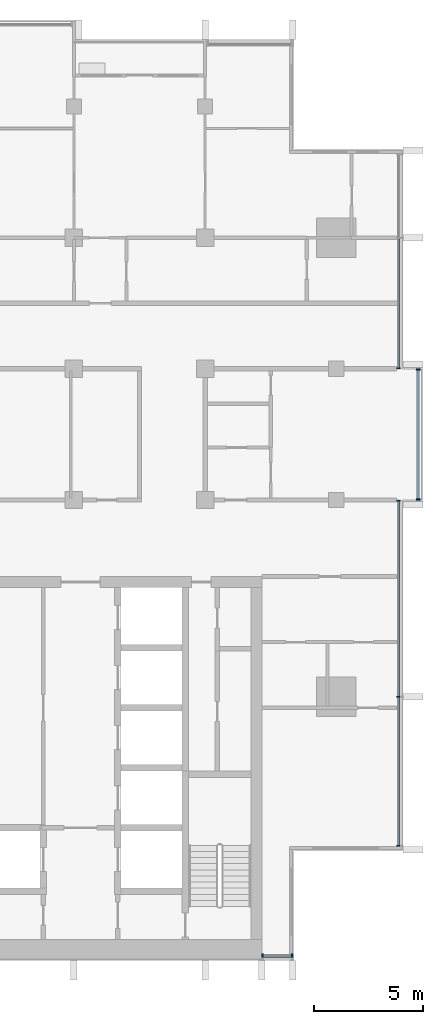
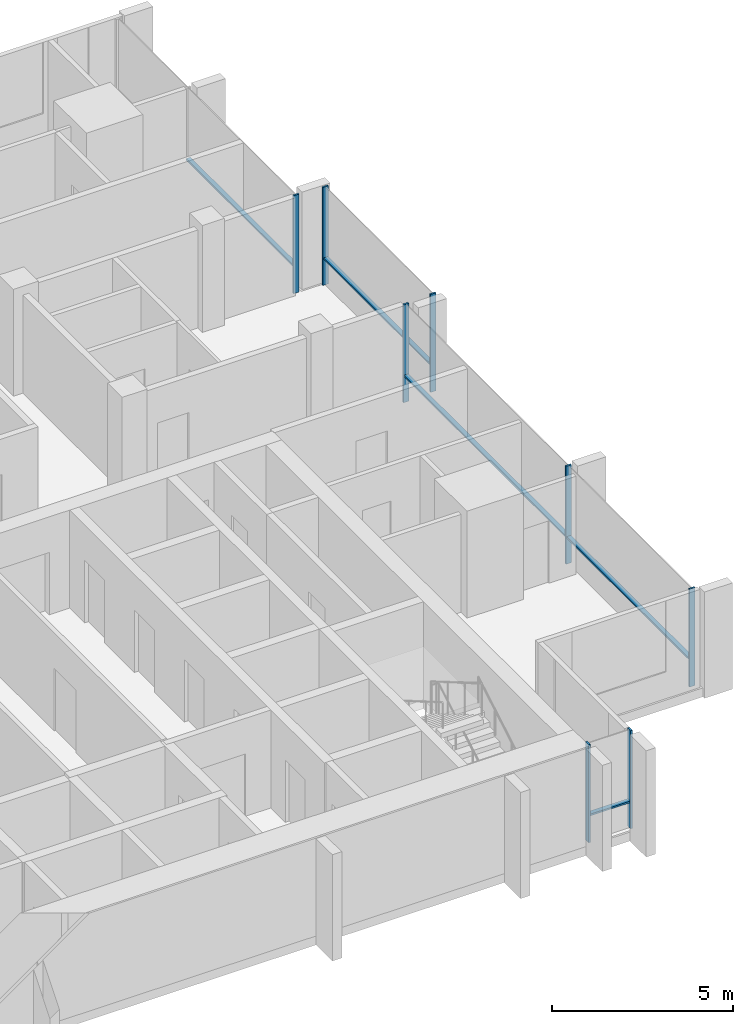
# One storey, part 3 of 16: 13 members, 4 elements without a shape of their own.
"""IFC4 building model written with IfcOpenShell, lengths in metres."""

from ifc_helpers import new_model, si_unit, direction, frame, origin, origin_2d, place, context, subcontext, project, spatial, rectangle, extrude, material, material_profile, profile_set, type_object, element, aggregate, save


model = new_model("IFC4")

# Units and contexts
model_context = context("Model", 3, precision=1e-05, world=origin(), true_north=direction((0.0, 1.0)))
body_context = subcontext(model_context, "Body", "Model", "MODEL_VIEW")
ifc_project = project(units=[si_unit("LENGTHUNIT", "METRE"), si_unit("AREAUNIT", "SQUARE_METRE"), si_unit("VOLUMEUNIT", "CUBIC_METRE"), si_unit("PLANEANGLEUNIT", "RADIAN"), si_unit("MASSUNIT", "GRAM", prefix="KILO")], contexts=[model_context])

# Site, building, storey
site_placement = place(None, origin())
site = spatial("IfcSite", under=ifc_project, at=site_placement, CompositionType="ELEMENT")
building_placement = place(site_placement, origin())
building = spatial("IfcBuilding", under=site, at=building_placement, Name="Finial Court Residences", CompositionType="ELEMENT")
storey_placement = place(building_placement, frame((0.0, 0.0, 284.300048828125)))
storey = spatial("IfcBuildingStorey", under=building, at=storey_placement, Name="L72", CompositionType="ELEMENT", Elevation=284.300048828125)

# Curtain wall, members
ifc_material = material(Name="Bronze anodised aluminium", Category="aluminium")
curtain_wall_type = type_object("IfcCurtainWallType", Name="Unitised curtain wall, upper zones", PredefinedType="NOTDEFINED", material=ifc_material)
curtain_wall_1_placement = place(storey_placement, origin())
curtain_wall_1 = element("IfcCurtainWall", 1, at=curtain_wall_1_placement, inside=storey, type_object=curtain_wall_type, Name="E-L72-CW-E4", PredefinedType="NOTDEFINED")
ifc_material_profile_1 = material_profile(ifc_material, rectangle(XDim=0.175048828125, YDim=0.06005859375, at=origin_2d()), Name="CW2 mullion 60 x 175")
ifc_profile_set_1 = profile_set([ifc_material_profile_1], Name="Bronze anodised aluminium")
member_type_1 = type_object("IfcMemberType", Name="CW2 mullion 60 x 175", PredefinedType="MULLION", material=ifc_profile_set_1)
member_1_placement = place(storey_placement, frame((19.35009765625, -20.320068359375, 0.0), z_axis=(0.0, 0.0, 1.0), x_axis=(-1.0, 0.0, 0.0)))
member_1 = element("IfcMember", 2, at=member_1_placement, type_object=member_type_1, Name="CW2 mullion 1", PredefinedType="MULLION", context=body_context, shape_type="SweptSolid", body=[
    extrude(rectangle(XDim=0.175048828125, YDim=0.06005859375, at=origin_2d()), origin(), (0.0, 0.0, 1.0), 3.300048828125),
])
member_2_placement = place(storey_placement, frame((19.35009765625, -13.5, 0.0), z_axis=(0.0, 0.0, 1.0), x_axis=(-1.0, 0.0, 0.0)))
member_2 = element("IfcMember", 3, at=member_2_placement, type_object=member_type_1, Name="CW2 mullion 2", PredefinedType="MULLION", context=body_context, shape_type="SweptSolid", body=[
    extrude(rectangle(XDim=0.175048828125, YDim=0.06005859375, at=origin_2d()), origin(), (0.0, 0.0, 1.0), 3.300048828125),
])
member_3_placement = place(storey_placement, frame((19.35009765625, -4.530029296875, 0.0), z_axis=(0.0, 0.0, 1.0), x_axis=(-1.0, 0.0, 0.0)))
member_3 = element("IfcMember", 4, at=member_3_placement, type_object=member_type_1, Name="CW2 mullion 3", PredefinedType="MULLION", context=body_context, shape_type="SweptSolid", body=[
    extrude(rectangle(XDim=0.175048828125, YDim=0.06005859375, at=origin_2d()), origin(), (0.0, 0.0, 1.0), 3.300048828125),
])

curtain_wall_2_placement = place(storey_placement, origin())
curtain_wall_2 = element("IfcCurtainWall", 5, at=curtain_wall_2_placement, inside=storey, type_object=curtain_wall_type, Name="E-L72-CW-E5", PredefinedType="NOTDEFINED")
member_4_placement = place(storey_placement, frame((20.25, -4.469970703125, 0.0), z_axis=(0.0, 0.0, 1.0), x_axis=(-1.0, 0.0, 0.0)))
member_4 = element("IfcMember", 6, at=member_4_placement, type_object=member_type_1, Name="CW2 mullion 1", PredefinedType="MULLION", context=body_context, shape_type="SweptSolid", body=[
    extrude(rectangle(XDim=0.175048828125, YDim=0.06005859375, at=origin_2d()), origin(), (0.0, 0.0, 1.0), 3.300048828125),
])
member_5_placement = place(storey_placement, frame((20.25, 1.469970703125, 0.0), z_axis=(0.0, 0.0, 1.0), x_axis=(-1.0, 0.0, 0.0)))
member_5 = element("IfcMember", 7, at=member_5_placement, type_object=member_type_1, Name="CW2 mullion 2", PredefinedType="MULLION", context=body_context, shape_type="SweptSolid", body=[
    extrude(rectangle(XDim=0.175048828125, YDim=0.06005859375, at=origin_2d()), origin(), (0.0, 0.0, 1.0), 3.300048828125),
])

# Curtain wall, member
curtain_wall_3_placement = place(storey_placement, origin())
curtain_wall_3 = element("IfcCurtainWall", 8, at=curtain_wall_3_placement, inside=storey, type_object=curtain_wall_type, Name="E-L72-CW-E6", PredefinedType="NOTDEFINED")
member_6_placement = place(storey_placement, frame((19.35009765625, 1.530029296875, 0.0), z_axis=(0.0, 0.0, 1.0), x_axis=(-1.0, 0.0, 0.0)))
member_6 = element("IfcMember", 9, at=member_6_placement, type_object=member_type_1, Name="CW2 mullion 1", PredefinedType="MULLION", context=body_context, shape_type="SweptSolid", body=[
    extrude(rectangle(XDim=0.175048828125, YDim=0.06005859375, at=origin_2d()), origin(), (0.0, 0.0, 1.0), 3.300048828125),
])

# Curtain wall, members
curtain_wall_4_placement = place(storey_placement, origin())
curtain_wall_4 = element("IfcCurtainWall", 10, at=curtain_wall_4_placement, inside=storey, type_object=curtain_wall_type, Name="E-L72-CW-S8", PredefinedType="NOTDEFINED")
member_7_placement = place(storey_placement, frame((13.1298828125, -25.35009765625, 0.0), z_axis=(0.0, 0.0, 1.0), x_axis=(0.0, 1.0, 0.0)))
member_7 = element("IfcMember", 11, at=member_7_placement, type_object=member_type_1, Name="CW2 mullion 1", PredefinedType="MULLION", context=body_context, shape_type="SweptSolid", body=[
    extrude(rectangle(XDim=0.175048828125, YDim=0.06005859375, at=origin_2d()), origin(), (0.0, 0.0, 1.0), 3.300048828125),
])
member_8_placement = place(storey_placement, frame((14.469970703125, -25.35009765625, 0.0), z_axis=(0.0, 0.0, 1.0), x_axis=(0.0, 1.0, 0.0)))
member_8 = element("IfcMember", 12, at=member_8_placement, type_object=member_type_1, Name="CW2 mullion 2", PredefinedType="MULLION", context=body_context, shape_type="SweptSolid", body=[
    extrude(rectangle(XDim=0.175048828125, YDim=0.06005859375, at=origin_2d()), origin(), (0.0, 0.0, 1.0), 3.300048828125),
])

# Member
ifc_material_profile_2 = material_profile(ifc_material, rectangle(XDim=0.139892578125, YDim=0.06005859375, at=origin_2d()), Name="CW2 transom 60 x 140")
ifc_profile_set_2 = profile_set([ifc_material_profile_2], Name="Bronze anodised aluminium")
member_type_2 = type_object("IfcMemberType", Name="CW2 transom 60 x 140", PredefinedType="USERDEFINED", material=ifc_profile_set_2)
member_9_placement = place(storey_placement, frame((19.35009765625, -20.2900390625, 0.89990234375), z_axis=(0.0, 1.0, 0.0), x_axis=(-1.0, 0.0, 0.0)))
member_9 = element("IfcMember", 13, at=member_9_placement, type_object=member_type_2, Name="CW2 transom 1.1", ObjectType="TRANSOM", PredefinedType="USERDEFINED", context=body_context, shape_type="SweptSolid", body=[
    extrude(rectangle(XDim=0.139892578125, YDim=0.06005859375, at=origin_2d()), origin(), (0.0, 0.0, 1.0), 6.760009765625),
])

member_10_placement = place(storey_placement, frame((19.35009765625, -13.469970703125, 0.89990234375), z_axis=(0.0, 1.0, 0.0), x_axis=(-1.0, 0.0, 0.0)))
member_10 = element("IfcMember", 14, at=member_10_placement, type_object=member_type_2, Name="CW2 transom 2.1", ObjectType="TRANSOM", PredefinedType="USERDEFINED", context=body_context, shape_type="SweptSolid", body=[
    extrude(rectangle(XDim=0.139892578125, YDim=0.06005859375, at=origin_2d()), origin(), (0.0, 0.0, 1.0), 8.909912109375),
])

aggregate(curtain_wall_1, [member_1, member_2, member_3, member_9, member_10])

member_11_placement = place(storey_placement, frame((20.25, -4.43994140625, 0.89990234375), z_axis=(0.0, 1.0, 0.0), x_axis=(-1.0, 0.0, 0.0)))
member_11 = element("IfcMember", 15, at=member_11_placement, type_object=member_type_2, Name="CW2 transom 1.1", ObjectType="TRANSOM", PredefinedType="USERDEFINED", context=body_context, shape_type="SweptSolid", body=[
    extrude(rectangle(XDim=0.139892578125, YDim=0.06005859375, at=origin_2d()), origin(), (0.0, 0.0, 1.0), 5.8798828125),
])

aggregate(curtain_wall_2, [member_4, member_5, member_11])

member_12_placement = place(storey_placement, frame((19.35009765625, 1.56005859375, 0.89990234375), z_axis=(0.0, 1.0, 0.0), x_axis=(-1.0, 0.0, 0.0)))
member_12 = element("IfcMember", 16, at=member_12_placement, type_object=member_type_2, Name="CW2 transom 1.1", ObjectType="TRANSOM", PredefinedType="USERDEFINED", context=body_context, shape_type="SweptSolid", body=[
    extrude(rectangle(XDim=0.139892578125, YDim=0.06005859375, at=origin_2d()), origin(), (0.0, 0.0, 1.0), 5.909912109375),
])

aggregate(curtain_wall_3, [member_6, member_12])

member_13_placement = place(storey_placement, frame((13.159912109375, -25.35009765625, 0.89990234375), z_axis=(1.0, 0.0, 0.0), x_axis=(0.0, 1.0, 0.0)))
member_13 = element("IfcMember", 17, at=member_13_placement, type_object=member_type_2, Name="CW2 transom 1.1", ObjectType="TRANSOM", PredefinedType="USERDEFINED", context=body_context, shape_type="SweptSolid", body=[
    extrude(rectangle(XDim=0.139892578125, YDim=0.06005859375, at=origin_2d()), origin(), (0.0, 0.0, 1.0), 1.280029296875),
])

aggregate(curtain_wall_4, [member_7, member_8, member_13])

save(model, "model.ifc")
